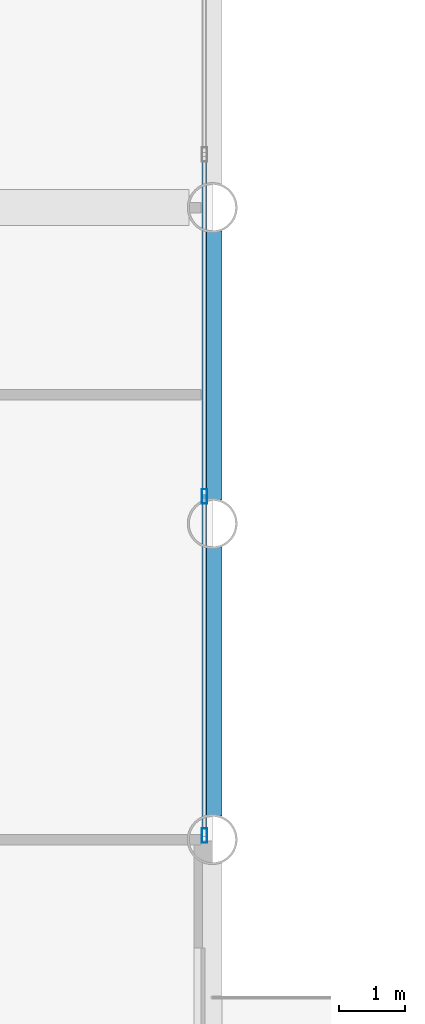
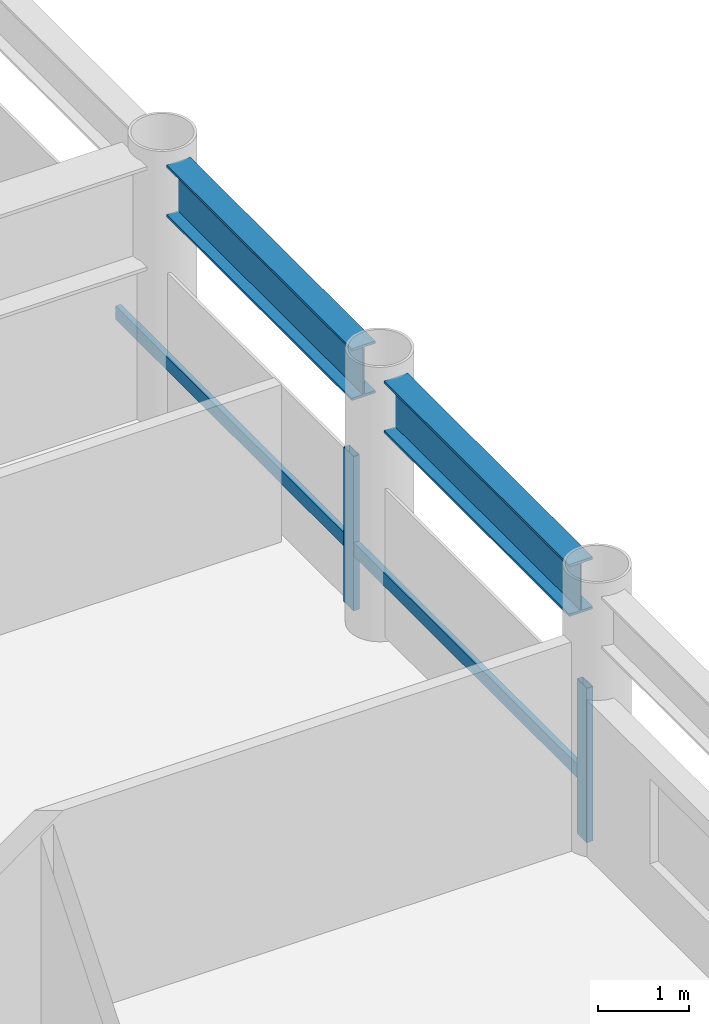
# One storey, part 8 of 24: 4 members, 2 beams, 1 element without a shape of its own.
"""IFC4 building model written with IfcOpenShell, lengths in metres."""

from ifc_helpers import new_model, si_unit, direction, frame, origin, origin_2d, place, context, subcontext, project, spatial, hollow_rectangle, i_section, extrude, material, layer, layer_set, material_profile, profile_set, type_object, element, aggregate, save


model = new_model("IFC4")

# Units and contexts
model_context = context("Model", 3, precision=1e-05, world=origin(), true_north=direction((0.0, 1.0)))
body_context = subcontext(model_context, "Body", "Model", "MODEL_VIEW")
ifc_project = project(units=[si_unit("LENGTHUNIT", "METRE"), si_unit("AREAUNIT", "SQUARE_METRE"), si_unit("VOLUMEUNIT", "CUBIC_METRE"), si_unit("PLANEANGLEUNIT", "RADIAN"), si_unit("MASSUNIT", "GRAM", prefix="KILO")], contexts=[model_context])

# Site, building, storey
site_placement = place(None, origin())
site = spatial("IfcSite", under=ifc_project, at=site_placement, CompositionType="ELEMENT")
building_placement = place(site_placement, origin())
building = spatial("IfcBuilding", under=site, at=building_placement, Name="Kallvorn Hotel Tower", CompositionType="ELEMENT")
storey_placement = place(building_placement, frame((0.0, 0.0, 30.0)))
storey = spatial("IfcBuildingStorey", under=building, at=storey_placement, Name="L05", CompositionType="ELEMENT", Elevation=30.0)

# Beams
ifc_material_1 = material(Name="Structural steel S355JR", Category="steel")
ifc_material_profile_1 = material_profile(ifc_material_1, i_section(OverallWidth=0.300048828125, OverallDepth=0.699951171875, WebThickness=0.01708984375, FlangeThickness=0.031982421875, at=origin_2d()), Name="HE 700 B")
ifc_profile_set_1 = profile_set([ifc_material_profile_1], Name="Structural steel S355JR")
beam_type = type_object("IfcBeamType", Name="BM_HE700B", PredefinedType="BEAM", material=ifc_profile_set_1)
beam_1_placement = place(storey_placement, frame((28.800048828125, 0.35595703125, 3.169921875), z_axis=(0.0, 1.0, 0.0), x_axis=(-1.0, 0.0, 0.0)))
element("IfcBeam", 1, at=beam_1_placement, inside=storey, type_object=beam_type, Name="L06 Primary Y-Girder 147", PredefinedType="BEAM", context=body_context, shape_type="SweptSolid", body=[
    extrude(i_section(OverallWidth=0.300048828125, OverallDepth=0.699951171875, WebThickness=0.01708984375, FlangeThickness=0.031982421875, at=origin_2d()), origin(), (0.0, 0.0, 1.0), 4.088134765625),
])
beam_2_placement = place(storey_placement, frame((28.800048828125, 5.156005859375, 3.169921875), z_axis=(0.0, 1.0, 0.0), x_axis=(-1.0, 0.0, 0.0)))
element("IfcBeam", 2, at=beam_2_placement, inside=storey, type_object=beam_type, Name="L06 Primary Y-Girder 148", PredefinedType="BEAM", context=body_context, shape_type="SweptSolid", body=[
    extrude(i_section(OverallWidth=0.300048828125, OverallDepth=0.699951171875, WebThickness=0.01708984375, FlangeThickness=0.031982421875, at=origin_2d()), origin(), (0.0, 0.0, 1.0), 4.087890625),
])

# Curtain wall, members
ifc_material_2 = material(Name="Thermally broken black-anodised aluminium AA 6063-T6", Category="aluminium")
ifc_layer = layer(ifc_material_2, 0.199951171875)
ifc_layer_set = layer_set([ifc_layer], Name="CW_SYS_3_HOTEL_LOW")
curtain_wall_type = type_object("IfcCurtainWallType", Name="CW_SYS_3_HOTEL_LOW", PredefinedType="USERDEFINED", material=ifc_layer_set)
curtain_wall_placement = place(storey_placement, origin())
curtain_wall = element("IfcCurtainWall", 3, at=curtain_wall_placement, inside=storey, type_object=curtain_wall_type, Name="L05 Dark-Glass Curtain Wall CW-L05-EN", ObjectType="UNITISED CURTAIN WALL", PredefinedType="USERDEFINED")
ifc_material_3 = material(Name="Thermally broken black-anodised aluminium AA 6063-T6", Category="aluminium")
ifc_material_profile_2 = material_profile(ifc_material_3, hollow_rectangle(XDim=0.080078125, YDim=0.219970703125, WallThickness=0.0048828125, at=origin_2d()), Name="MUL 220x80")
ifc_profile_set_2 = profile_set([ifc_material_profile_2], Name="Thermally broken black-anodised aluminium AA 6063-T6")
member_type_1 = type_object("IfcMemberType", Name="CW_MULLION_220x80", PredefinedType="MULLION", material=ifc_profile_set_2)
member_1_placement = place(storey_placement, frame((28.679931640625, 0.06005859375, 0.02001953125), z_axis=(0.0, 0.0, 1.0), x_axis=(1.0, 0.0, 0.0)))
member_1 = element("IfcMember", 4, at=member_1_placement, type_object=member_type_1, Name="CW-L05-EN Mullion 00", PredefinedType="MULLION", context=body_context, shape_type="SweptSolid", body=[
    extrude(hollow_rectangle(XDim=0.080078125, YDim=0.219970703125, WallThickness=0.0048828125, at=origin_2d()), origin(), (0.0, 0.0, 1.0), 2.080078125),
])
member_2_placement = place(storey_placement, frame((28.679931640625, 5.21337890625, 0.02001953125), z_axis=(0.0, 0.0, 1.0), x_axis=(1.0, 0.0, 0.0)))
member_2 = element("IfcMember", 5, at=member_2_placement, type_object=member_type_1, Name="CW-L05-EN Mullion 01", PredefinedType="MULLION", context=body_context, shape_type="SweptSolid", body=[
    extrude(hollow_rectangle(XDim=0.080078125, YDim=0.219970703125, WallThickness=0.0048828125, at=origin_2d()), origin(), (0.0, 0.0, 1.0), 2.080078125),
])
ifc_material_4 = material(Name="Thermally broken black-anodised aluminium AA 6063-T6", Category="aluminium")
ifc_material_profile_3 = material_profile(ifc_material_4, hollow_rectangle(XDim=0.070068359375, YDim=0.179931640625, WallThickness=0.00390625, at=origin_2d()), Name="TRN 180x70")
ifc_profile_set_3 = profile_set([ifc_material_profile_3], Name="Thermally broken black-anodised aluminium AA 6063-T6")
member_type_2 = type_object("IfcMemberType", Name="CW_TRANSOM_180x70", PredefinedType="USERDEFINED", material=ifc_profile_set_3)
member_3_placement = place(storey_placement, frame((28.679931640625, 0.06005859375, 0.85009765625), z_axis=(0.0, 1.0, 0.0), x_axis=(-1.0, 0.0, 0.0)))
member_3 = element("IfcMember", 6, at=member_3_placement, type_object=member_type_2, Name="CW-L05-EN Transom 00M", ObjectType="TRANSOM", PredefinedType="USERDEFINED", context=body_context, shape_type="SweptSolid", body=[
    extrude(hollow_rectangle(XDim=0.070068359375, YDim=0.179931640625, WallThickness=0.00390625, at=origin_2d()), origin(), (0.0, 0.0, 1.0), 5.11328125),
])
member_4_placement = place(storey_placement, frame((28.679931640625, 5.25341796875, 0.85009765625), z_axis=(0.0, 1.0, 0.0), x_axis=(-1.0, 0.0, 0.0)))
member_4 = element("IfcMember", 7, at=member_4_placement, type_object=member_type_2, Name="CW-L05-EN Transom 01M", ObjectType="TRANSOM", PredefinedType="USERDEFINED", context=body_context, shape_type="SweptSolid", body=[
    extrude(hollow_rectangle(XDim=0.070068359375, YDim=0.179931640625, WallThickness=0.00390625, at=origin_2d()), origin(), (0.0, 0.0, 1.0), 5.11328125),
])
aggregate(curtain_wall, [member_1, member_2, member_3, member_4])

save(model, "model.ifc")
